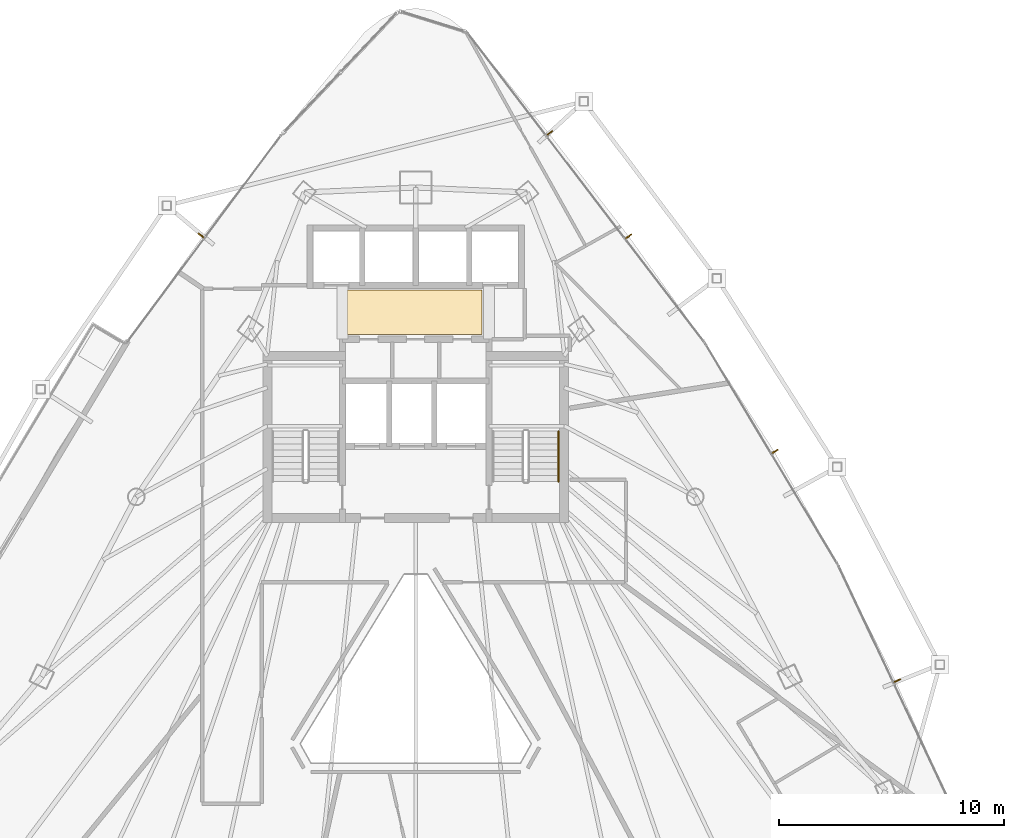
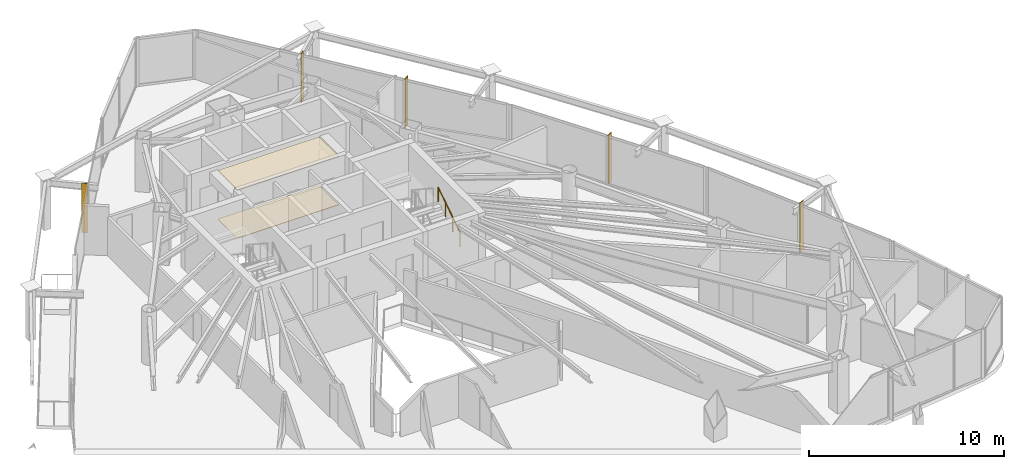
# One storey, part 33 of 33: 5 shading devices, 2 coverings, 1 railing.
"""IFC4 building model written with IfcOpenShell, lengths in metres."""

from ifc_helpers import new_model, si_unit, direction, frame, origin, origin_2d, place, context, subcontext, project, spatial, polyline, rectangle, circle, outline, extrude, material, layer, layer_set, type_object, element, save


model = new_model("IFC4")

# Units and contexts
model_context = context("Model", 3, precision=1e-05, world=origin(), true_north=direction((0.0, 1.0)))
body_context = subcontext(model_context, "Body", "Model", "MODEL_VIEW")
ifc_project = project(units=[si_unit("LENGTHUNIT", "METRE"), si_unit("AREAUNIT", "SQUARE_METRE"), si_unit("VOLUMEUNIT", "CUBIC_METRE"), si_unit("PLANEANGLEUNIT", "RADIAN"), si_unit("MASSUNIT", "GRAM", prefix="KILO")], contexts=[model_context])

# Site, building, storey
site_placement = place(None, origin())
site = spatial("IfcSite", under=ifc_project, at=site_placement, CompositionType="ELEMENT")
building_placement = place(site_placement, origin())
building = spatial("IfcBuilding", under=site, at=building_placement, Name="Orvanel Arch Residences", CompositionType="ELEMENT")
storey_placement = place(building_placement, frame((0.0, 0.0, 123.199951171875)))
storey = spatial("IfcBuildingStorey", under=building, at=storey_placement, Name="L34", CompositionType="ELEMENT", Elevation=123.199951171875)

# Coverings
ifc_material_1 = material(Name="Perforated acoustic mineral-fibre ceiling tile", Category="gypsum")
ifc_layer_1 = layer(ifc_material_1, 0.034912109375)
ifc_layer_set_1 = layer_set([ifc_layer_1], Name="Perforated acoustic mineral-fibre ceiling tile")
covering_type_1 = type_object("IfcCoveringType", Name="COV-CLG-ACS35", PredefinedType="CEILING", material=ifc_layer_set_1)
covering_1_placement = place(storey_placement, frame((0.0, 0.0, 3.025146484375)))
element("IfcCovering", 1, at=covering_1_placement, inside=storey, type_object=covering_type_1, Name="L34 Lift Lobby Acoustic Ceiling", PredefinedType="CEILING", context=body_context, shape_type="SweptSolid", body=[
    extrude(outline(polyline([(29.949951171875, 34.85009765625), (35.949951171875, 34.85009765625), (35.949951171875, 36.85009765625), (29.949951171875, 36.85009765625), (29.949951171875, 34.85009765625)])), origin(), (0.0, 0.0, 1.0), 0.034912109375),
])
ifc_material_2 = material(Name="Honed cementitious terrazzo floor finish", Category="concrete")
ifc_layer_2 = layer(ifc_material_2, 0.02490234375)
ifc_layer_set_2 = layer_set([ifc_layer_2], Name="Honed cementitious terrazzo floor finish")
covering_type_2 = type_object("IfcCoveringType", Name="COV-FLR-TRZ25", PredefinedType="FLOORING", material=ifc_layer_set_2)
covering_2_placement = place(storey_placement, origin())
element("IfcCovering", 2, at=covering_2_placement, inside=storey, type_object=covering_type_2, Name="L34 Lift Lobby Terrazzo Flooring", PredefinedType="FLOORING", context=body_context, shape_type="SweptSolid", body=[
    extrude(outline(polyline([(29.949951171875, 34.85009765625), (35.949951171875, 34.85009765625), (35.949951171875, 36.85009765625), (29.949951171875, 36.85009765625), (29.949951171875, 34.85009765625)])), origin(), (0.0, 0.0, 1.0), 0.025146484375),
])

# Shading devices
ifc_material_3 = material(Name="Bronze-anodised aluminium AA6063-T6", Category="aluminium")
ifc_layer_3 = layer(ifc_material_3, 0.054931640625)
ifc_layer_set_3 = layer_set([ifc_layer_3], Name="Bronze-anodised aluminium AA6063-T6")
shading_device_type = type_object("IfcShadingDeviceType", Name="FIN-BRZ-320", PredefinedType="USERDEFINED", material=ifc_layer_set_3)
for number, where, z_axis, x_axis, name in (
    (3, (23.4580078125, 39.258056640625, 0.0), (0.0, 0.0, 1.0), (-0.801775644244, 0.597625146976, 0.0), "L34 Anodised Bronze Mullion FIN 01"),
    (4, (54.4150390625, 19.465087890625, 0.0), (0.0, 0.0, 1.0), (0.904827052466, 0.425779291565, 0.0), "L34 Anodised Bronze Mullion FIN 01"),
    (5, (48.97412109375, 29.657958984375, 0.0), (0.0, 0.0, 1.0), (0.857167300702, 0.51503807491, 0.0), "L34 Anodised Bronze Mullion FIN 01"),
    (6, (42.468994140625, 39.22412109375, 0.0), (0.0, 0.0, 1.0), (0.793353340291, 0.608761429009, 0.0), "L34 Anodised Bronze Mullion FIN 01"),
    (7, (38.950927734375, 43.81591796875, 0.0), (0.0, 0.0, 1.0), (0.793353340291, 0.608761429009, 0.0), "L34 Anodised Bronze Mullion FIN 02"),
):
    element("IfcShadingDevice", number, at=place(storey_placement, frame(where, z_axis=z_axis, x_axis=x_axis)), inside=storey, type_object=shading_device_type, Name=name, ObjectType="FIN", PredefinedType="USERDEFINED", context=body_context, shape_type="SweptSolid", body=[
        extrude(rectangle(XDim=0.320068359375, YDim=0.054931640625, at=origin_2d()), origin(), (0.0, 0.0, 1.0), 3.06005859375),
    ])

# Railing
ifc_material_4 = material(Name="Structural steel AS/NZS 1163 C350L0 (Grade 350)", Category="steel")
railing_type = type_object("IfcRailingType", Name="RL-STAIR-HAND", PredefinedType="HANDRAIL", material=ifc_material_4)
railing_placement = place(storey_placement, frame((39.35009765625, 28.320068359375, 0.183349609375)))
element("IfcRailing", 8, at=railing_placement, inside=storey, type_object=railing_type, Name="L34 ST-2 stair handrail 1", PredefinedType="HANDRAIL", context=body_context, shape_type="SweptSolid", body=[
    extrude(circle(Radius=0.02392578125, at=origin_2d()), frame((0.0, 0.001220703125, 0.876708984375), z_axis=(0.0, 0.836595146698, 0.547821650285), x_axis=(-1.0, 0.0, 0.0)), (0.0, 0.0, 1.0), 2.674560546875),
    extrude(circle(Radius=0.02099609375, at=origin_2d()), origin(), (0.0, 0.0, 1.0), 0.849853515625),
    extrude(circle(Radius=0.02099609375, at=origin_2d()), frame((0.0, 0.74658203125, 0.489013671875)), (0.0, 0.0, 1.0), 0.849853515625),
    extrude(circle(Radius=0.02099609375, at=origin_2d()), frame((0.0, 1.493408203125, 0.977783203125)), (0.0, 0.0, 1.0), 0.849853515625),
    extrude(circle(Radius=0.02099609375, at=origin_2d()), frame((0.0, 2.239990234375, 1.466796875)), (0.0, 0.0, 1.0), 0.849853515625),
])

save(model, "model.ifc")
